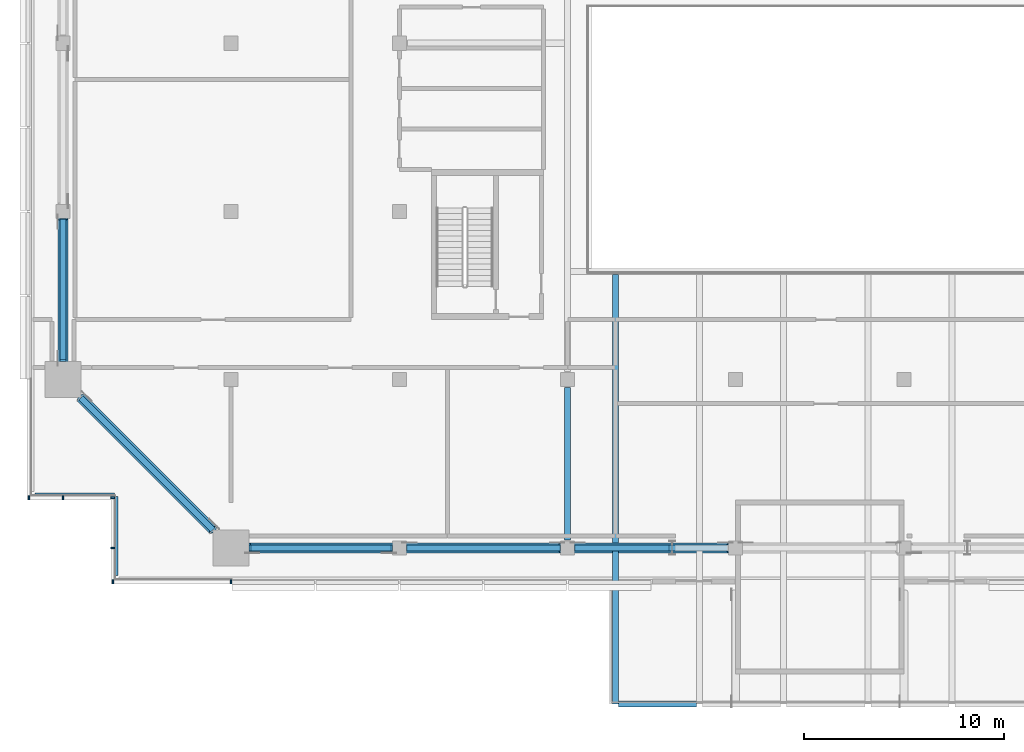
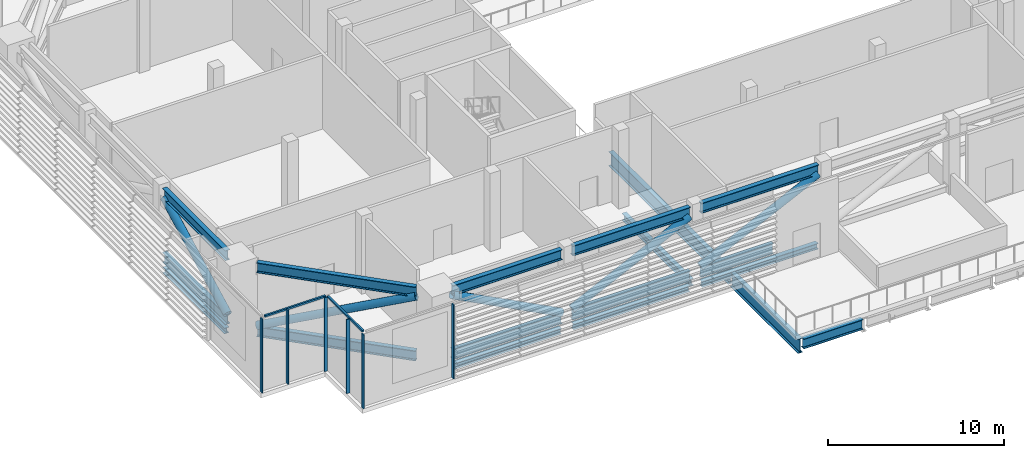
# One storey, part 2 of 29: 23 members, 8 beams, 3 elements without a shape of their own.
"""IFC4 building model written with IfcOpenShell, lengths in metres."""

from ifc_helpers import new_model, si_unit, direction, frame, origin, origin_2d, place, context, subcontext, project, spatial, rectangle, hollow_circle, i_section, extrude, material, material_profile, profile_set, type_object, element, aggregate, save


model = new_model("IFC4")

# Units and contexts
model_context = context("Model", 3, precision=1e-05, world=origin(), true_north=direction((0.0, 1.0)))
body_context = subcontext(model_context, "Body", "Model", "MODEL_VIEW")
ifc_project = project(units=[si_unit("LENGTHUNIT", "METRE"), si_unit("AREAUNIT", "SQUARE_METRE"), si_unit("VOLUMEUNIT", "CUBIC_METRE"), si_unit("PLANEANGLEUNIT", "RADIAN"), si_unit("MASSUNIT", "GRAM", prefix="KILO")], contexts=[model_context])

# Site, building, storey
site_placement = place(None, origin())
site = spatial("IfcSite", under=ifc_project, at=site_placement, CompositionType="ELEMENT")
building_placement = place(site_placement, origin())
building = spatial("IfcBuilding", under=site, at=building_placement, Name="Saffron Gate Tower", CompositionType="ELEMENT")
storey_placement = place(building_placement, frame((0.0, 0.0, 142.050048828125)))
storey = spatial("IfcBuildingStorey", under=building, at=storey_placement, Name="L34", CompositionType="ELEMENT", Elevation=142.050048828125)

# Beams
ifc_material_1 = material(Name="Structural steel S355", Category="steel")
ifc_material_profile_1 = material_profile(ifc_material_1, i_section(OverallWidth=0.300048828125, OverallDepth=0.68994140625, WebThickness=0.014404296875, FlangeThickness=0.027099609375, FilletRadius=0.027099609375, at=origin_2d()))
ifc_profile_set_1 = profile_set([ifc_material_profile_1], Name="Structural steel S355")
beam_type_1 = type_object("IfcBeamType", Name="B17 HEA 700", PredefinedType="BEAM", material=ifc_profile_set_1)
beam_1_placement = place(storey_placement, frame((77.550048828125, 24.0, -0.64501953125), z_axis=(1.0, 0.0, 0.0), x_axis=(0.0, 1.0, 0.0)))
element("IfcBeam", 1, at=beam_1_placement, inside=storey, type_object=beam_type_1, Name="B17 POOL EDGE BEAM", PredefinedType="BEAM", context=body_context, shape_type="SweptSolid", body=[
    extrude(i_section(OverallWidth=0.300048828125, OverallDepth=0.68994140625, WebThickness=0.014404296875, FlangeThickness=0.027099609375, FilletRadius=0.027099609375, at=origin_2d()), origin(), (0.0, 0.0, 1.0), 3.89990234375),
])
ifc_material_profile_2 = material_profile(ifc_material_1, i_section(OverallWidth=0.300048828125, OverallDepth=0.39990234375, WebThickness=0.013427734375, FlangeThickness=0.02392578125, FilletRadius=0.027099609375, at=origin_2d()))
ifc_profile_set_2 = profile_set([ifc_material_profile_2], Name="Structural steel S355")
beam_type_2 = type_object("IfcBeamType", Name="B3 HEB 400", PredefinedType="SPANDREL", material=ifc_profile_set_2)
for number, where, z_axis, x_axis, name in (
    (2, (49.800048828125, 41.199951171875, -0.5), (0.0, 1.0, 0.0), (-1.0, 0.0, 0.0), "B3 SPANDREL BEAM"),
    (3, (59.199951171875, 31.800048828125, -0.5), (1.0, 0.0, 0.0), (0.0, 1.0, 0.0), "B3 SPANDREL BEAM"),
):
    element("IfcBeam", number, at=place(storey_placement, frame(where, z_axis=z_axis, x_axis=x_axis)), inside=storey, type_object=beam_type_2, Name=name, PredefinedType="SPANDREL", context=body_context, shape_type="SweptSolid", body=[
        extrude(i_section(OverallWidth=0.300048828125, OverallDepth=0.39990234375, WebThickness=0.013427734375, FlangeThickness=0.02392578125, FilletRadius=0.027099609375, at=origin_2d()), origin(), (0.0, 0.0, 1.0), 7.0),
    ])
for number, where, z_axis, x_axis, name in (
    (4, (67.0, 31.800048828125, -0.5), (1.0, 0.0, 0.0), (0.0, 1.0, 0.0), "B3 SPANDREL BEAM"),
    (5, (75.39990234375, 31.800048828125, -0.5), (1.0, 0.0, 0.0), (0.0, 1.0, 0.0), "B3 SPANDREL BEAM"),
):
    element("IfcBeam", number, at=place(storey_placement, frame(where, z_axis=z_axis, x_axis=x_axis)), inside=storey, type_object=beam_type_2, Name=name, PredefinedType="SPANDREL", context=body_context, shape_type="SweptSolid", body=[
        extrude(i_section(OverallWidth=0.300048828125, OverallDepth=0.39990234375, WebThickness=0.013427734375, FlangeThickness=0.02392578125, FilletRadius=0.027099609375, at=origin_2d()), origin(), (0.0, 0.0, 1.0), 7.60009765625),
    ])
ifc_material_profile_3 = material_profile(ifc_material_1, i_section(OverallWidth=0.300048828125, OverallDepth=0.489990234375, WebThickness=0.011962890625, FlangeThickness=0.02294921875, FilletRadius=0.027099609375, at=origin_2d()))
ifc_profile_set_3 = profile_set([ifc_material_profile_3], Name="Structural steel S355")
beam_type_3 = type_object("IfcBeamType", Name="B8 HEA 500", PredefinedType="BEAM", material=ifc_profile_set_3)
beam_2_placement = place(storey_placement, frame((75.0, 32.199951171875, -0.545166015625), z_axis=(0.0, 1.0, 0.0), x_axis=(-1.0, 0.0, 0.0)))
element("IfcBeam", 6, at=beam_2_placement, inside=storey, type_object=beam_type_3, Name="B8 FLOOR GIRDER", PredefinedType="BEAM", context=body_context, shape_type="SweptSolid", body=[
    extrude(i_section(OverallWidth=0.300048828125, OverallDepth=0.489990234375, WebThickness=0.011962890625, FlangeThickness=0.02294921875, FilletRadius=0.027099609375, at=origin_2d()), origin(), (0.0, 0.0, 1.0), 7.60009765625),
])

# Members
ifc_material_profile_4 = material_profile(ifc_material_1, i_section(OverallWidth=0.300048828125, OverallDepth=0.699951171875, WebThickness=0.01708984375, FlangeThickness=0.031982421875, FilletRadius=0.027099609375, at=origin_2d()))
ifc_profile_set_4 = profile_set([ifc_material_profile_4], Name="Structural steel S355")
member_type_1 = type_object("IfcMemberType", Name="BT1 HEB 700", PredefinedType="CHORD", material=ifc_profile_set_4)
for number, where, z_axis, x_axis, name in (
    (7, (49.800048828125, 41.10009765625, 4.77001953125), (0.0, 1.0, 0.0), (-1.0, 0.0, 0.0), "BT1 BELT TRUSS TOP CHORD"),
    (8, (49.800048828125, 41.10009765625, 0.349853515625), (0.0, 1.0, 0.0), (-1.0, 0.0, 0.0), "BT1 BELT TRUSS BOTTOM CHORD"),
    (9, (59.10009765625, 31.800048828125, 4.77001953125), (1.0, 0.0, 0.0), (0.0, 1.0, 0.0), "BT1 BELT TRUSS TOP CHORD"),
    (10, (59.10009765625, 31.800048828125, 0.349853515625), (1.0, 0.0, 0.0), (0.0, 1.0, 0.0), "BT1 BELT TRUSS BOTTOM CHORD"),
):
    element("IfcMember", number, at=place(storey_placement, frame(where, z_axis=z_axis, x_axis=x_axis)), inside=storey, type_object=member_type_1, Name=name, PredefinedType="CHORD", context=body_context, shape_type="SweptSolid", body=[
        extrude(i_section(OverallWidth=0.300048828125, OverallDepth=0.699951171875, WebThickness=0.01708984375, FlangeThickness=0.031982421875, FilletRadius=0.027099609375, at=origin_2d()), origin(), (0.0, 0.0, 1.0), 7.14990234375),
    ])
for number, where, z_axis, x_axis, name in (
    (11, (66.949951171875, 31.800048828125, 4.77001953125), (1.0, 0.0, 0.0), (0.0, 1.0, 0.0), "BT1 BELT TRUSS TOP CHORD"),
    (12, (66.949951171875, 31.800048828125, 0.349853515625), (1.0, 0.0, 0.0), (0.0, 1.0, 0.0), "BT1 BELT TRUSS BOTTOM CHORD"),
    (13, (75.35009765625, 31.800048828125, 4.77001953125), (1.0, 0.0, 0.0), (0.0, 1.0, 0.0), "BT1 BELT TRUSS TOP CHORD"),
):
    element("IfcMember", number, at=place(storey_placement, frame(where, z_axis=z_axis, x_axis=x_axis)), inside=storey, type_object=member_type_1, Name=name, PredefinedType="CHORD", context=body_context, shape_type="SweptSolid", body=[
        extrude(i_section(OverallWidth=0.300048828125, OverallDepth=0.699951171875, WebThickness=0.01708984375, FlangeThickness=0.031982421875, FilletRadius=0.027099609375, at=origin_2d()), origin(), (0.0, 0.0, 1.0), 7.699951171875),
    ])
member_1_placement = place(storey_placement, frame((75.35009765625, 31.800048828125, 0.349853515625), z_axis=(1.0, 0.0, 0.0), x_axis=(0.0, 1.0, 0.0)))
element("IfcMember", 14, at=member_1_placement, inside=storey, type_object=member_type_1, Name="BT1 BELT TRUSS BOTTOM CHORD", PredefinedType="CHORD", context=body_context, shape_type="SweptSolid", body=[
    extrude(i_section(OverallWidth=0.300048828125, OverallDepth=0.699951171875, WebThickness=0.01708984375, FlangeThickness=0.031982421875, FilletRadius=0.027099609375, at=origin_2d()), origin(), (0.0, 0.0, 1.0), 4.72998046875),
])
for number, where, z_axis, x_axis, name in (
    (15, (57.300048828125, 32.699951171875, 4.77001953125), (-0.707106781187, 0.707106781187, 0.0), (-0.707106781187, -0.707106781187, 0.0), "BT1 BELT TRUSS TOP CHORD"),
    (16, (57.300048828125, 32.699951171875, 0.349853515625), (-0.707106781187, 0.707106781187, 0.0), (-0.707106781187, -0.707106781187, 0.0), "BT1 BELT TRUSS BOTTOM CHORD"),
):
    element("IfcMember", number, at=place(storey_placement, frame(where, z_axis=z_axis, x_axis=x_axis)), inside=storey, type_object=member_type_1, Name=name, PredefinedType="CHORD", context=body_context, shape_type="SweptSolid", body=[
        extrude(i_section(OverallWidth=0.300048828125, OverallDepth=0.699951171875, WebThickness=0.01708984375, FlangeThickness=0.031982421875, FilletRadius=0.027099609375, at=origin_2d()), origin(), (0.0, 0.0, 1.0), 9.333984375),
    ])
ifc_material_profile_5 = material_profile(ifc_material_1, hollow_circle(Radius=0.25390625, WallThickness=0.01611328125, at=origin_2d()))
ifc_profile_set_5 = profile_set([ifc_material_profile_5], Name="Structural steel S355")
member_type_2 = type_object("IfcMemberType", Name="BT5 CHS 508x16", PredefinedType="BRACE", material=ifc_profile_set_5)
for number, where, z_axis, x_axis, name in (
    (17, (49.800048828125, 41.10009765625, 0.699951171875), (0.0, 0.887114116581, 0.461550153464), (-1.0, 0.0, 0.0), "BT5 BELT TRUSS DIAGONAL"),
    (18, (66.25, 31.800048828125, 0.699951171875), (-0.887114116581, 0.0, 0.461550153464), (0.0, -1.0, 0.0), "BT5 BELT TRUSS DIAGONAL"),
):
    element("IfcMember", number, at=place(storey_placement, frame(where, z_axis=z_axis, x_axis=x_axis)), inside=storey, type_object=member_type_2, Name=name, PredefinedType="BRACE", context=body_context, shape_type="SweptSolid", body=[
        extrude(hollow_circle(Radius=0.25390625, WallThickness=0.01611328125, at=origin_2d()), origin(), (0.0, 0.0, 1.0), 8.059814453125),
    ])
for number, where, z_axis, x_axis, name in (
    (19, (66.949951171875, 31.800048828125, 0.699951171875), (0.900425561848, 0.0, 0.435010123526), (0.0, 1.0, 0.0), "BT5 BELT TRUSS DIAGONAL"),
    (20, (75.35009765625, 31.800048828125, 0.699951171875), (0.900425561848, 0.0, 0.435010123526), (0.0, 1.0, 0.0), "BT5 BELT TRUSS DIAGONAL"),
):
    element("IfcMember", number, at=place(storey_placement, frame(where, z_axis=z_axis, x_axis=x_axis)), inside=storey, type_object=member_type_2, Name=name, PredefinedType="BRACE", context=body_context, shape_type="SweptSolid", body=[
        extrude(hollow_circle(Radius=0.25390625, WallThickness=0.01611328125, at=origin_2d()), origin(), (0.0, 0.0, 1.0), 8.551513671875),
    ])
member_2_placement = place(storey_placement, frame((50.699951171875, 39.300048828125, 0.699951171875), z_axis=(0.656861874819, -0.656861874819, 0.370222844811), x_axis=(0.707106781187, 0.707106781187, 0.0)))
element("IfcMember", 21, at=member_2_placement, inside=storey, type_object=member_type_2, Name="BT5 BELT TRUSS DIAGONAL", PredefinedType="BRACE", context=body_context, shape_type="SweptSolid", body=[
    extrude(hollow_circle(Radius=0.25390625, WallThickness=0.01611328125, at=origin_2d()), origin(), (0.0, 0.0, 1.0), 10.0478515625),
])

# Curtain wall, member
ifc_material_2 = material(Name="Aluminium, bronze anodised", Category="aluminium")
curtain_wall_type = type_object("IfcCurtainWallType", Name="CWS6 curtain wall tall storeys", PredefinedType="NOTDEFINED", material=ifc_material_2)
curtain_wall_1_placement = place(storey_placement, origin())
curtain_wall_1 = element("IfcCurtainWall", 22, at=curtain_wall_1_placement, inside=storey, type_object=curtain_wall_type, Name="CWS6 run 11", PredefinedType="NOTDEFINED")
ifc_material_profile_6 = material_profile(ifc_material_2, rectangle(XDim=0.1201171875, YDim=0.1201171875, at=origin_2d()))
ifc_profile_set_6 = profile_set([ifc_material_profile_6], Name="Aluminium, bronze anodised")
member_type_3 = type_object("IfcMemberType", Name="CWS6 head transom", PredefinedType="USERDEFINED", material=ifc_profile_set_6)
member_3_placement = place(storey_placement, frame((48.407958984375, 34.488037109375, 5.06005859375), z_axis=(1.0, 0.0, 0.0), x_axis=(0.0, 1.0, 0.0)))
member_3 = element("IfcMember", 23, at=member_3_placement, type_object=member_type_3, Name="CWS6 head transom", ObjectType="TRANSOM", PredefinedType="USERDEFINED", context=body_context, shape_type="SweptSolid", body=[
    extrude(rectangle(XDim=0.1201171875, YDim=0.1201171875, at=origin_2d()), origin(), (0.0, 0.0, 1.0), 3.9599609375),
])

curtain_wall_2_placement = place(storey_placement, origin())
curtain_wall_2 = element("IfcCurtainWall", 24, at=curtain_wall_2_placement, inside=storey, type_object=curtain_wall_type, Name="CWS6 run 12", PredefinedType="NOTDEFINED")
member_4_placement = place(storey_placement, frame((52.488037109375, 34.367919921875, 5.06005859375), z_axis=(0.0, -1.0, 0.0), x_axis=(1.0, 0.0, 0.0)))
member_4 = element("IfcMember", 25, at=member_4_placement, type_object=member_type_3, Name="CWS6 head transom", ObjectType="TRANSOM", PredefinedType="USERDEFINED", context=body_context, shape_type="SweptSolid", body=[
    extrude(rectangle(XDim=0.1201171875, YDim=0.1201171875, at=origin_2d()), origin(), (0.0, 0.0, 1.0), 3.9599609375),
])

# Curtain wall, members
curtain_wall_3_placement = place(storey_placement, origin())
curtain_wall_3 = element("IfcCurtainWall", 26, at=curtain_wall_3_placement, inside=storey, type_object=curtain_wall_type, Name="CWS6 run 1", PredefinedType="NOTDEFINED")
ifc_material_profile_7 = material_profile(ifc_material_2, rectangle(XDim=0.199951171875, YDim=0.080078125, at=origin_2d()))
ifc_profile_set_7 = profile_set([ifc_material_profile_7], Name="Aluminium, bronze anodised")
member_type_4 = type_object("IfcMemberType", Name="CWS6 mullion 80x200", PredefinedType="MULLION", material=ifc_profile_set_7)
member_5_placement = place(storey_placement, frame((52.300048828125, 30.10009765625, 0.0), z_axis=(0.0, 0.0, 1.0), x_axis=(0.0, 1.0, 0.0)))
member_5 = element("IfcMember", 27, at=member_5_placement, type_object=member_type_4, Name="CWS6 mullion 1", PredefinedType="MULLION", context=body_context, shape_type="SweptSolid", body=[
    extrude(rectangle(XDim=0.199951171875, YDim=0.080078125, at=origin_2d()), origin(), (0.0, 0.0, 1.0), 5.119873046875),
])
member_6_placement = place(storey_placement, frame((58.199951171875, 30.10009765625, 0.0), z_axis=(0.0, 0.0, 1.0), x_axis=(0.0, 1.0, 0.0)))
member_6 = element("IfcMember", 28, at=member_6_placement, type_object=member_type_4, Name="CWS6 mullion 2", PredefinedType="MULLION", context=body_context, shape_type="SweptSolid", body=[
    extrude(rectangle(XDim=0.199951171875, YDim=0.080078125, at=origin_2d()), origin(), (0.0, 0.0, 1.0), 5.119873046875),
])
aggregate(curtain_wall_3, [member_5, member_6])

# Member
member_7_placement = place(storey_placement, frame((48.10009765625, 34.300048828125, 0.0), z_axis=(0.0, 0.0, 1.0), x_axis=(0.0, 1.0, 0.0)))
member_7 = element("IfcMember", 29, at=member_7_placement, type_object=member_type_4, Name="CWS6 mullion 1", PredefinedType="MULLION", context=body_context, shape_type="SweptSolid", body=[
    extrude(rectangle(XDim=0.199951171875, YDim=0.080078125, at=origin_2d()), origin(), (0.0, 0.0, 1.0), 5.119873046875),
])

member_8_placement = place(storey_placement, frame((49.800048828125, 34.300048828125, 0.0), z_axis=(0.0, 0.0, 1.0), x_axis=(0.0, 1.0, 0.0)))
member_8 = element("IfcMember", 30, at=member_8_placement, type_object=member_type_4, Name="CWS6 mullion 2", PredefinedType="MULLION", context=body_context, shape_type="SweptSolid", body=[
    extrude(rectangle(XDim=0.199951171875, YDim=0.080078125, at=origin_2d()), origin(), (0.0, 0.0, 1.0), 5.119873046875),
])

aggregate(curtain_wall_1, [member_7, member_8, member_3])

member_9_placement = place(storey_placement, frame((52.300048828125, 34.300048828125, 0.0), z_axis=(0.0, 0.0, 1.0), x_axis=(1.0, 0.0, 0.0)))
member_9 = element("IfcMember", 31, at=member_9_placement, type_object=member_type_4, Name="CWS6 mullion 1", PredefinedType="MULLION", context=body_context, shape_type="SweptSolid", body=[
    extrude(rectangle(XDim=0.199951171875, YDim=0.080078125, at=origin_2d()), origin(), (0.0, 0.0, 1.0), 5.119873046875),
])

member_10_placement = place(storey_placement, frame((52.300048828125, 31.800048828125, 0.0), z_axis=(0.0, 0.0, 1.0), x_axis=(1.0, 0.0, 0.0)))
member_10 = element("IfcMember", 32, at=member_10_placement, type_object=member_type_4, Name="CWS6 mullion 2", PredefinedType="MULLION", context=body_context, shape_type="SweptSolid", body=[
    extrude(rectangle(XDim=0.199951171875, YDim=0.080078125, at=origin_2d()), origin(), (0.0, 0.0, 1.0), 5.119873046875),
])

aggregate(curtain_wall_2, [member_9, member_10, member_4])

# Beams
ifc_material_profile_8 = material_profile(ifc_material_1, i_section(OverallWidth=0.300048828125, OverallDepth=0.989990234375, WebThickness=0.0166015625, FlangeThickness=0.031005859375, FilletRadius=0.030029296875, at=origin_2d()))
ifc_profile_set_8 = profile_set([ifc_material_profile_8], Name="Structural steel S355")
beam_type_4 = type_object("IfcBeamType", Name="PB1 HEA 1000 POOL CANTILEVER", PredefinedType="BEAM", material=ifc_profile_set_8)
beam_3_placement = place(storey_placement, frame((77.39990234375, 24.0, -0.795166015625), z_axis=(0.0, 1.0, 0.0), x_axis=(-1.0, 0.0, 0.0)))
element("IfcBeam", 33, at=beam_3_placement, inside=storey, type_object=beam_type_4, Name="PB1 POOL CANTILEVER BEAM", PredefinedType="BEAM", context=body_context, shape_type="SweptSolid", body=[
    extrude(i_section(OverallWidth=0.300048828125, OverallDepth=0.989990234375, WebThickness=0.0166015625, FlangeThickness=0.031005859375, FilletRadius=0.030029296875, at=origin_2d()), origin(), (0.0, 0.0, 1.0), 7.695068359375),
])
beam_4_placement = place(storey_placement, frame((77.39990234375, 31.905029296875, -0.795166015625), z_axis=(0.0, 1.0, 0.0), x_axis=(-1.0, 0.0, 0.0)))
element("IfcBeam", 34, at=beam_4_placement, inside=storey, type_object=beam_type_4, Name="PB1 POOL CANTILEVER BEAM", PredefinedType="BEAM", context=body_context, shape_type="SweptSolid", body=[
    extrude(i_section(OverallWidth=0.300048828125, OverallDepth=0.989990234375, WebThickness=0.0166015625, FlangeThickness=0.031005859375, FilletRadius=0.030029296875, at=origin_2d()), origin(), (0.0, 0.0, 1.0), 13.544921875),
])

save(model, "model.ifc")
